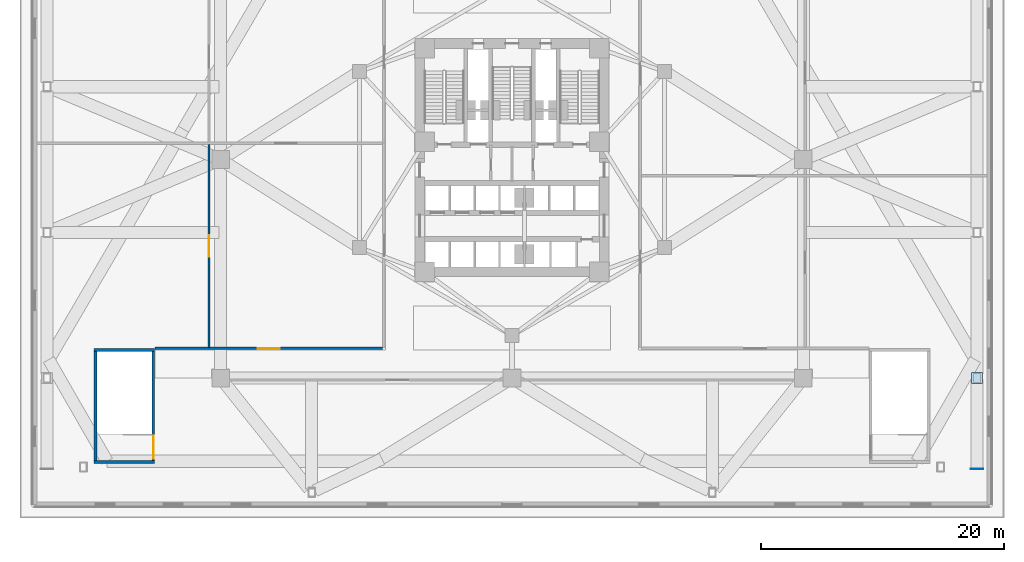
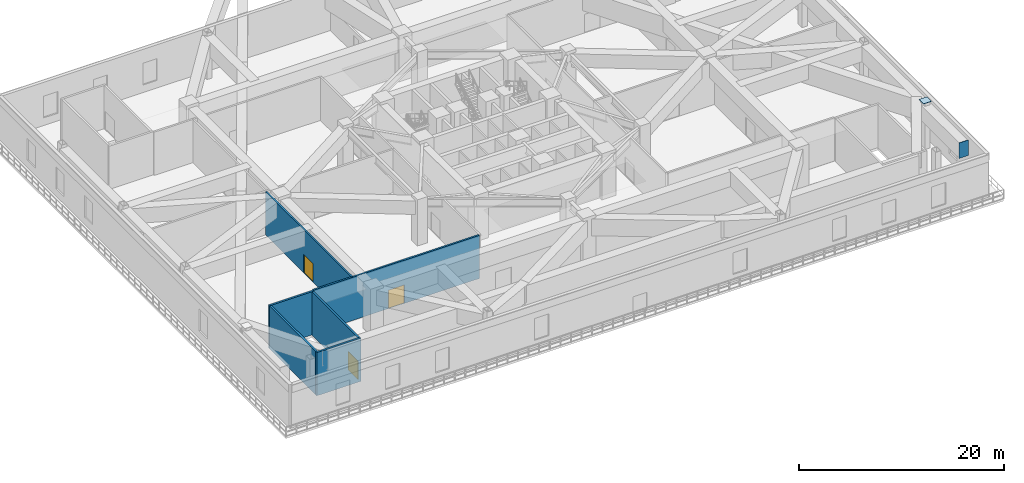
# One storey, part 5 of 15: 6 walls, 3 doors, 2 plates, 3 openings.
"""IFC4 building model written with IfcOpenShell, lengths in metres."""

from ifc_helpers import new_model, si_unit, direction, frame, frame_2d, origin, origin_2d, place, context, subcontext, project, spatial, rectangle, extrude, material, layer, layer_set, type_object, element, fill, save


model = new_model("IFC4")

# Units and contexts
model_context = context("Model", 3, precision=1e-05, world=origin(), true_north=direction((0.0, 1.0)))
body_context = subcontext(model_context, "Body", "Model", "MODEL_VIEW")
ifc_project = project(units=[si_unit("LENGTHUNIT", "METRE"), si_unit("AREAUNIT", "SQUARE_METRE"), si_unit("VOLUMEUNIT", "CUBIC_METRE"), si_unit("PLANEANGLEUNIT", "RADIAN"), si_unit("MASSUNIT", "GRAM", prefix="KILO")], contexts=[model_context])

# Site, building, storey
site_placement = place(None, origin())
site = spatial("IfcSite", under=ifc_project, at=site_placement, CompositionType="ELEMENT")
building_placement = place(site_placement, origin())
building = spatial("IfcBuilding", under=site, at=building_placement, Name="Apsidion Concourse Tower", CompositionType="ELEMENT")
storey_placement = place(building_placement, frame((0.0, 0.0, 23.5)))
storey = spatial("IfcBuildingStorey", under=building, at=storey_placement, Name="L04", CompositionType="ELEMENT", Elevation=23.5)

# Plates
ifc_material_1 = material(Name="Structural steel ASTM A572 Grade 50", Category="steel")
ifc_layer_1 = layer(ifc_material_1, 0.034912109375)
ifc_layer_set_1 = layer_set([ifc_layer_1], Name="Structural steel ASTM A572 Grade 50")
plate_type = type_object("IfcPlateType", Name="PL-ENDCAP-35", PredefinedType="USERDEFINED", material=ifc_layer_set_1)
plate_1_placement = place(storey_placement, frame((38.300048828125, -18.0, 5.498046875), z_axis=(0.0, 0.0, 1.0), x_axis=(1.0, 0.0, 0.0)))
element("IfcPlate", 1, at=plate_1_placement, inside=storey, type_object=plate_type, Name="L04 Podium Step-Top Column End-Cap Plate PC05", ObjectType="FLANGE_PLATE", PredefinedType="USERDEFINED", context=body_context, shape_type="SweptSolid", body=[
    extrude(rectangle(XDim=0.8798828125, YDim=0.8798828125, at=origin_2d()), origin(), (0.0, 0.0, 1.0), 0.0400390625),
])
plate_2_placement = place(storey_placement, frame((38.300048828125, -25.469970703125, 3.324951171875), z_axis=(0.0, 0.0, 1.0), x_axis=(1.0, 0.0, 0.0)))
element("IfcPlate", 2, at=plate_2_placement, inside=storey, type_object=plate_type, Name="L05 Base Corner Transfer Leg End Cap Plate NS-E", ObjectType="FLANGE_PLATE", PredefinedType="USERDEFINED", context=body_context, shape_type="SweptSolid", body=[
    extrude(rectangle(XDim=1.050048828125, YDim=0.0400390625, at=origin_2d()), origin(), (0.0, 0.0, 1.0), 1.85009765625),
])

# Wall, opening, door
ifc_material_2 = material(Name="Gypsum plasterboard partition")
ifc_layer_2 = layer(ifc_material_2, 0.179931640625)
ifc_layer_set_2 = layer_set([ifc_layer_2], Name="Gypsum plasterboard partition")
wall_type_1 = type_object("IfcWallType", Name="WL-INT-PAR-180", PredefinedType="PARTITIONING", material=ifc_layer_set_2)
wall_1_placement = place(storey_placement, frame((-24.949951171875, -15.5, 0.0), z_axis=(0.0, 0.0, 1.0), x_axis=(0.0, 1.0, 0.0)))
wall_1 = element("IfcWall", 3, at=wall_1_placement, inside=storey, type_object=wall_type_1, Name="L04 Interior Partition WL-L04-WV1", PredefinedType="PARTITIONING", context=body_context, shape_type="SweptSolid", body=[
    extrude(rectangle(XDim=16.75, YDim=0.179931640625, at=frame_2d((8.375, 0.0))), origin(), (0.0, 0.0, 1.0), 5.14990234375),
])
opening_1_placement = place(wall_1_placement, frame((7.47509765625, 0.0, 0.0)))
opening_1 = element("IfcOpeningElement", 4, at=opening_1_placement, cuts=wall_1, Name="Opening D-06D", PredefinedType="OPENING", context=body_context, shape_type="SweptSolid", body=[
    extrude(rectangle(XDim=1.800048828125, YDim=2.199951171875, at=frame_2d((0.89990234375, 1.10009765625))), frame((0.0, 0.10009765625, 0.0), z_axis=(0.0, -1.0, 0.0), x_axis=(1.0, 0.0, 0.0)), (0.0, 0.0, 1.0), 0.199951171875),
])
ifc_material_3 = material(Name="Brushed stainless steel 316", Category="steel")
door_type_1 = type_object("IfcDoorType", Name="DR-INT-D06D", OperationType="DOUBLE_DOOR_SINGLE_SWING", PredefinedType="DOOR", material=ifc_material_3)
door_1_placement = place(opening_1_placement, origin())
door_1 = element("IfcDoor", 5, at=door_1_placement, inside=storey, type_object=door_type_1, Name="L04 Convention Door WL-L04-WV1", OperationType="DOUBLE_DOOR_SINGLE_SWING", OverallHeight=2.199951171875, OverallWidth=1.800048828125, PredefinedType="DOOR", context=body_context, shape_type="SweptSolid", body=[
    extrude(rectangle(XDim=1.800048828125, YDim=2.199951171875, at=frame_2d((0.89990234375, 1.10009765625))), frame((0.0, 0.02490234375, 0.0), z_axis=(0.0, -1.0, 0.0), x_axis=(1.0, 0.0, 0.0)), (0.0, 0.0, 1.0), 0.050048828125),
])
fill(opening_1, door_1)

ifc_layer_3 = layer(ifc_material_2, 0.199951171875)
ifc_layer_set_3 = layer_set([ifc_layer_3], Name="Gypsum plasterboard partition")
wall_type_2 = type_object("IfcWallType", Name="WL-INT-PAR-200", PredefinedType="PARTITIONING", material=ifc_layer_set_3)
wall_2_placement = place(storey_placement, frame((-29.39990234375, -15.550048828125, 0.0), z_axis=(0.0, 0.0, 1.0), x_axis=(1.0, 0.0, 0.0)))
wall_2 = element("IfcWall", 6, at=wall_2_placement, inside=storey, type_object=wall_type_2, Name="L04 Interior Partition WL-L04-S1", PredefinedType="PARTITIONING", context=body_context, shape_type="SweptSolid", body=[
    extrude(rectangle(XDim=18.75, YDim=0.199951171875, at=frame_2d((9.375, 0.0))), origin(), (0.0, 0.0, 1.0), 5.14990234375),
])
opening_2_placement = place(wall_2_placement, frame((8.47509765625, 0.0, 0.0)))
opening_2 = element("IfcOpeningElement", 7, at=opening_2_placement, cuts=wall_2, Name="Opening D-06D", PredefinedType="OPENING", context=body_context, shape_type="SweptSolid", body=[
    extrude(rectangle(XDim=1.800048828125, YDim=2.199951171875, at=frame_2d((0.89990234375, 1.10009765625))), frame((0.0, 0.10986328125, 0.0), z_axis=(0.0, -1.0, 0.0), x_axis=(1.0, 0.0, 0.0)), (0.0, 0.0, 1.0), 0.219970703125),
])
door_2_placement = place(opening_2_placement, origin())
door_2 = element("IfcDoor", 8, at=door_2_placement, inside=storey, type_object=door_type_1, Name="L04 Convention Door WL-L04-S1", OperationType="DOUBLE_DOOR_SINGLE_SWING", OverallHeight=2.199951171875, OverallWidth=1.800048828125, PredefinedType="DOOR", context=body_context, shape_type="SweptSolid", body=[
    extrude(rectangle(XDim=1.800048828125, YDim=2.199951171875, at=frame_2d((0.89990234375, 1.10009765625))), frame((0.0, 0.02490234375, 0.0), z_axis=(0.0, -1.0, 0.0), x_axis=(1.0, 0.0, 0.0)), (0.0, 0.0, 1.0), 0.050048828125),
])
fill(opening_2, door_2)

# Walls
ifc_material_4 = material(Name="Concrete C50/60", Category="concrete")
ifc_layer_4 = layer(ifc_material_4, 0.219970703125)
ifc_layer_set_4 = layer_set([ifc_layer_4], Name="Concrete C50/60")
wall_type_3 = type_object("IfcWallType", Name="WL-SH-220", PredefinedType="SHEAR", material=ifc_layer_set_4)
for number, where, z_axis, x_axis, name in (
    (9, (-34.419921875, -24.909912109375, 0.0), (0.0, 0.0, 1.0), (1.0, 0.0, 0.0), "L04 Podium Stair ST-P1 Core Shear Wall S"),
    (10, (-34.419921875, -15.68994140625, 0.0), (0.0, 0.0, 1.0), (1.0, 0.0, 0.0), "L04 Podium Stair ST-P1 Core Shear Wall N"),
):
    element("IfcWall", number, at=place(storey_placement, frame(where, z_axis=z_axis, x_axis=x_axis)), inside=storey, type_object=wall_type_3, Name=name, PredefinedType="SHEAR", context=body_context, shape_type="SweptSolid", body=[
        extrude(rectangle(XDim=4.989990234375, YDim=0.219970703125, at=frame_2d((2.4951171875, 0.0))), origin(), (0.0, 0.0, 1.0), 5.14990234375),
    ])
wall_3_placement = place(storey_placement, frame((-34.31005859375, -24.800048828125, 0.0), z_axis=(0.0, 0.0, 1.0), x_axis=(0.0, 1.0, 0.0)))
element("IfcWall", 11, at=wall_3_placement, inside=storey, type_object=wall_type_3, Name="L04 Podium Stair ST-P1 Core Shear Wall W", PredefinedType="SHEAR", context=body_context, shape_type="SweptSolid", body=[
    extrude(rectangle(XDim=9.0, YDim=0.219970703125, at=frame_2d((4.5, 0.0))), origin(), (0.0, 0.0, 1.0), 5.14990234375),
])

# Wall, opening, door
wall_4_placement = place(storey_placement, frame((-29.5400390625, -24.800048828125, 0.0), z_axis=(0.0, 0.0, 1.0), x_axis=(0.0, 1.0, 0.0)))
wall_4 = element("IfcWall", 12, at=wall_4_placement, inside=storey, type_object=wall_type_3, Name="L04 Podium Stair ST-P1 Core Shear Wall E", PredefinedType="SHEAR", context=body_context, shape_type="SweptSolid", body=[
    extrude(rectangle(XDim=9.0, YDim=0.219970703125, at=frame_2d((4.5, 0.0))), origin(), (0.0, 0.0, 1.0), 5.14990234375),
])
opening_3_placement = place(wall_4_placement, frame((0.139892578125, 0.0, 0.0)))
opening_3 = element("IfcOpeningElement", 13, at=opening_3_placement, cuts=wall_4, Name="Opening D-07D", PredefinedType="OPENING", context=body_context, shape_type="SweptSolid", body=[
    extrude(rectangle(XDim=1.89990234375, YDim=2.199951171875, at=frame_2d((0.949951171875, 1.10009765625))), frame((0.0, 0.1201171875, 0.0), z_axis=(0.0, -1.0, 0.0), x_axis=(1.0, 0.0, 0.0)), (0.0, 0.0, 1.0), 0.239990234375),
])
door_type_2 = type_object("IfcDoorType", Name="DR-INT-D07D", OperationType="DOUBLE_DOOR_SINGLE_SWING", PredefinedType="DOOR", material=ifc_material_3)
door_3_placement = place(opening_3_placement, origin())
door_3 = element("IfcDoor", 14, at=door_3_placement, inside=storey, type_object=door_type_2, Name="L04 Podium Exit Stair ST-P1 Entry Door", OperationType="DOUBLE_DOOR_SINGLE_SWING", OverallHeight=2.199951171875, OverallWidth=1.89990234375, PredefinedType="DOOR", context=body_context, shape_type="SweptSolid", body=[
    extrude(rectangle(XDim=1.89990234375, YDim=2.199951171875, at=frame_2d((0.949951171875, 1.10009765625))), frame((0.0, 0.02490234375, 0.0), z_axis=(0.0, -1.0, 0.0), x_axis=(1.0, 0.0, 0.0)), (0.0, 0.0, 1.0), 0.050048828125),
])
fill(opening_3, door_3)

save(model, "model.ifc")
